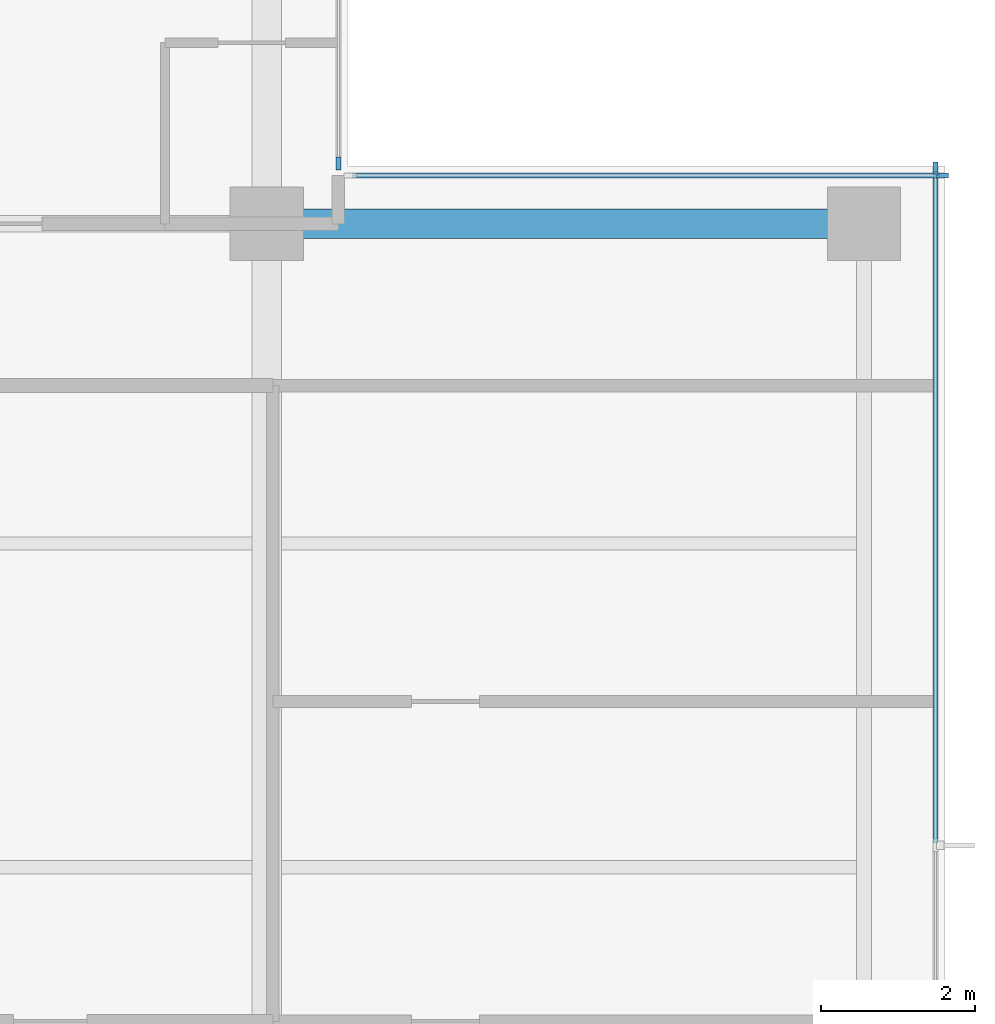
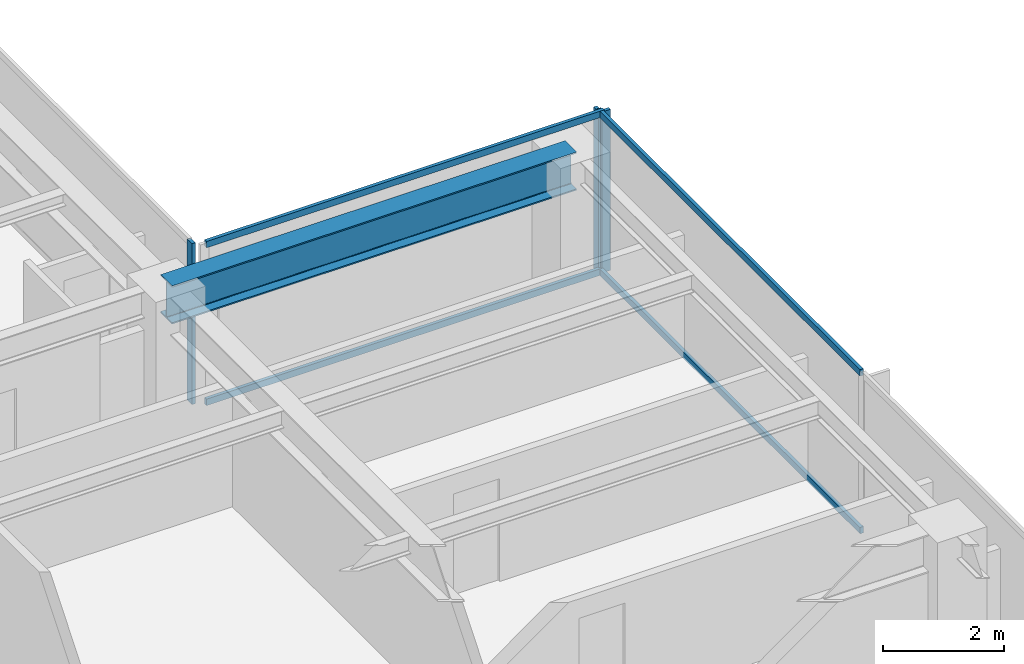
# One storey, part 4 of 14: 7 members, 1 beam, 3 elements without a shape of their own.
"""IFC4 building model written with IfcOpenShell, lengths in metres."""

from ifc_helpers import new_model, si_unit, direction, frame, origin, origin_2d, place, context, subcontext, project, spatial, rectangle, i_section, extrude, material, layer, layer_set, material_profile, profile_set, type_object, element, aggregate, save


model = new_model("IFC4")

# Units and contexts
model_context = context("Model", 3, precision=1e-05, world=origin(), true_north=direction((0.0, 1.0)))
body_context = subcontext(model_context, "Body", "Model", "MODEL_VIEW")
ifc_project = project(units=[si_unit("LENGTHUNIT", "METRE"), si_unit("AREAUNIT", "SQUARE_METRE"), si_unit("VOLUMEUNIT", "CUBIC_METRE"), si_unit("PLANEANGLEUNIT", "RADIAN"), si_unit("MASSUNIT", "GRAM", prefix="KILO")], contexts=[model_context])

# Site, building, storey
site_placement = place(None, origin())
site = spatial("IfcSite", under=ifc_project, at=site_placement, CompositionType="ELEMENT")
building_placement = place(site_placement, origin())
building = spatial("IfcBuilding", under=site, at=building_placement, Name="Qalmaran Belvedere Hotel", CompositionType="ELEMENT")
storey_placement = place(building_placement, frame((0.0, 0.0, 228.39990234375)))
storey = spatial("IfcBuildingStorey", under=building, at=storey_placement, Name="L58", CompositionType="ELEMENT", Elevation=228.39990234375)

# Beam
ifc_material_1 = material(Name="Steel S355JR", Category="steel")
ifc_material_profile_1 = material_profile(ifc_material_1, i_section(OverallWidth=0.381103515625, OverallDepth=0.77294921875, WebThickness=0.0166015625, FlangeThickness=0.027099609375, FilletRadius=0.02197265625, at=origin_2d()), Name="W760X257")
ifc_profile_set_1 = profile_set([ifc_material_profile_1], Name="Steel S355JR")
beam_type = type_object("IfcBeamType", Name="BM-PG4-W760X257", PredefinedType="USERDEFINED", material=ifc_profile_set_1)
beam_placement = place(storey_placement, frame((44.800048828125, 33.0, 2.87353515625), z_axis=(1.0, 0.0, 0.0), x_axis=(0.0, 1.0, 0.0)))
element("IfcBeam", 1, at=beam_placement, inside=storey, type_object=beam_type, Name="L58 East Wing Girder 27", ObjectType="GIRDER", PredefinedType="USERDEFINED", context=body_context, shape_type="SweptSolid", body=[
    extrude(i_section(OverallWidth=0.381103515625, OverallDepth=0.77294921875, WebThickness=0.0166015625, FlangeThickness=0.027099609375, FilletRadius=0.02197265625, at=origin_2d()), origin(), (0.0, 0.0, 1.0), 7.75),
])

# Curtain wall, member
ifc_material_2 = material(Name="Anodised Bronze Aluminium", Category="aluminium")
ifc_layer = layer(ifc_material_2, 0.18994140625, Name="Anodised Bronze Aluminium")
ifc_layer_set = layer_set([ifc_layer], Name="Anodised Bronze Aluminium")
curtain_wall_type = type_object("IfcCurtainWallType", Name="CW5-TOWER-UPPER", PredefinedType="NOTDEFINED", material=ifc_layer_set)
curtain_wall_1_placement = place(storey_placement, origin())
curtain_wall_1 = element("IfcCurtainWall", 2, at=curtain_wall_1_placement, inside=storey, type_object=curtain_wall_type, Name="L58 Curtain Wall CW5", PredefinedType="NOTDEFINED")
ifc_material_profile_2 = material_profile(ifc_material_2, rectangle(XDim=0.06494140625, YDim=0.1650390625, at=origin_2d()), Name="CWM65X165")
ifc_profile_set_2 = profile_set([ifc_material_profile_2], Name="Anodised Bronze Aluminium")
member_type_1 = type_object("IfcMemberType", Name="CWM-65X165", PredefinedType="MULLION", material=ifc_profile_set_2)
member_1_placement = place(storey_placement, frame((53.47998046875, 33.717529296875, 0.0), z_axis=(0.0, 0.0, 1.0), x_axis=(-1.0, 0.0, 0.0)))
member_1 = element("IfcMember", 3, at=member_1_placement, type_object=member_type_1, Name="CW5 mullion 4", PredefinedType="MULLION", context=body_context, shape_type="SweptSolid", body=[
    extrude(rectangle(XDim=0.06494140625, YDim=0.1650390625, at=origin_2d()), origin(), (0.0, 0.0, 1.0), 3.260009765625),
])

curtain_wall_2_placement = place(storey_placement, origin())
curtain_wall_2 = element("IfcCurtainWall", 4, at=curtain_wall_2_placement, inside=storey, type_object=curtain_wall_type, Name="L58 Curtain Wall CW5", PredefinedType="NOTDEFINED")
member_2_placement = place(storey_placement, frame((53.5673828125, 33.6298828125, 0.0), z_axis=(0.0, 0.0, 1.0), x_axis=(0.0, -1.0, 0.0)))
member_2 = element("IfcMember", 5, at=member_2_placement, type_object=member_type_1, Name="CW5 mullion 1", PredefinedType="MULLION", context=body_context, shape_type="SweptSolid", body=[
    extrude(rectangle(XDim=0.06494140625, YDim=0.1650390625, at=origin_2d()), origin(), (0.0, 0.0, 1.0), 3.260009765625),
])

curtain_wall_3_placement = place(storey_placement, origin())
curtain_wall_3 = element("IfcCurtainWall", 6, at=curtain_wall_3_placement, inside=storey, type_object=curtain_wall_type, Name="L58 Curtain Wall CW5", PredefinedType="NOTDEFINED")
member_3_placement = place(storey_placement, frame((45.72998046875, 33.782470703125, 0.0), z_axis=(0.0, 0.0, 1.0), x_axis=(-1.0, 0.0, 0.0)))
member_3 = element("IfcMember", 7, at=member_3_placement, type_object=member_type_1, Name="CW5 mullion 1", PredefinedType="MULLION", context=body_context, shape_type="SweptSolid", body=[
    extrude(rectangle(XDim=0.06494140625, YDim=0.1650390625, at=origin_2d()), origin(), (0.0, 0.0, 1.0), 3.260009765625),
])
aggregate(curtain_wall_3, [member_3])

# Member
ifc_material_profile_3 = material_profile(ifc_material_2, rectangle(XDim=0.06494140625, YDim=0.1298828125, at=origin_2d()), Name="CWT65X130")
ifc_profile_set_3 = profile_set([ifc_material_profile_3], Name="Anodised Bronze Aluminium")
member_type_2 = type_object("IfcMemberType", Name="CWT-65X130", PredefinedType="USERDEFINED", material=ifc_profile_set_3)
member_4_placement = place(storey_placement, frame((53.47998046875, 24.9658203125, 0.03271484375), z_axis=(0.0, 1.0, 0.0), x_axis=(-1.0, 0.0, 0.0)))
member_4 = element("IfcMember", 8, at=member_4_placement, type_object=member_type_2, Name="CW5 transom 3.1", ObjectType="TRANSOM", PredefinedType="USERDEFINED", context=body_context, shape_type="SweptSolid", body=[
    extrude(rectangle(XDim=0.06494140625, YDim=0.1298828125, at=origin_2d()), origin(), (0.0, 0.0, 1.0), 8.71923828125),
])

member_5_placement = place(storey_placement, frame((53.47998046875, 24.9658203125, 3.2275390625), z_axis=(0.0, 1.0, 0.0), x_axis=(-1.0, 0.0, 0.0)))
member_5 = element("IfcMember", 9, at=member_5_placement, type_object=member_type_2, Name="CW5 transom 3.2", ObjectType="TRANSOM", PredefinedType="USERDEFINED", context=body_context, shape_type="SweptSolid", body=[
    extrude(rectangle(XDim=0.06494140625, YDim=0.1298828125, at=origin_2d()), origin(), (0.0, 0.0, 1.0), 8.71923828125),
])

aggregate(curtain_wall_1, [member_1, member_4, member_5])

member_6_placement = place(storey_placement, frame((53.534912109375, 33.6298828125, 0.03271484375), z_axis=(-1.0, 0.0, 0.0), x_axis=(0.0, -1.0, 0.0)))
member_6 = element("IfcMember", 10, at=member_6_placement, type_object=member_type_2, Name="CW5 transom 1.1", ObjectType="TRANSOM", PredefinedType="USERDEFINED", context=body_context, shape_type="SweptSolid", body=[
    extrude(rectangle(XDim=0.06494140625, YDim=0.1298828125, at=origin_2d()), origin(), (0.0, 0.0, 1.0), 7.619873046875),
])

member_7_placement = place(storey_placement, frame((53.534912109375, 33.6298828125, 3.2275390625), z_axis=(-1.0, 0.0, 0.0), x_axis=(0.0, -1.0, 0.0)))
member_7 = element("IfcMember", 11, at=member_7_placement, type_object=member_type_2, Name="CW5 transom 1.2", ObjectType="TRANSOM", PredefinedType="USERDEFINED", context=body_context, shape_type="SweptSolid", body=[
    extrude(rectangle(XDim=0.06494140625, YDim=0.1298828125, at=origin_2d()), origin(), (0.0, 0.0, 1.0), 7.619873046875),
])

aggregate(curtain_wall_2, [member_2, member_6, member_7])

save(model, "model.ifc")
